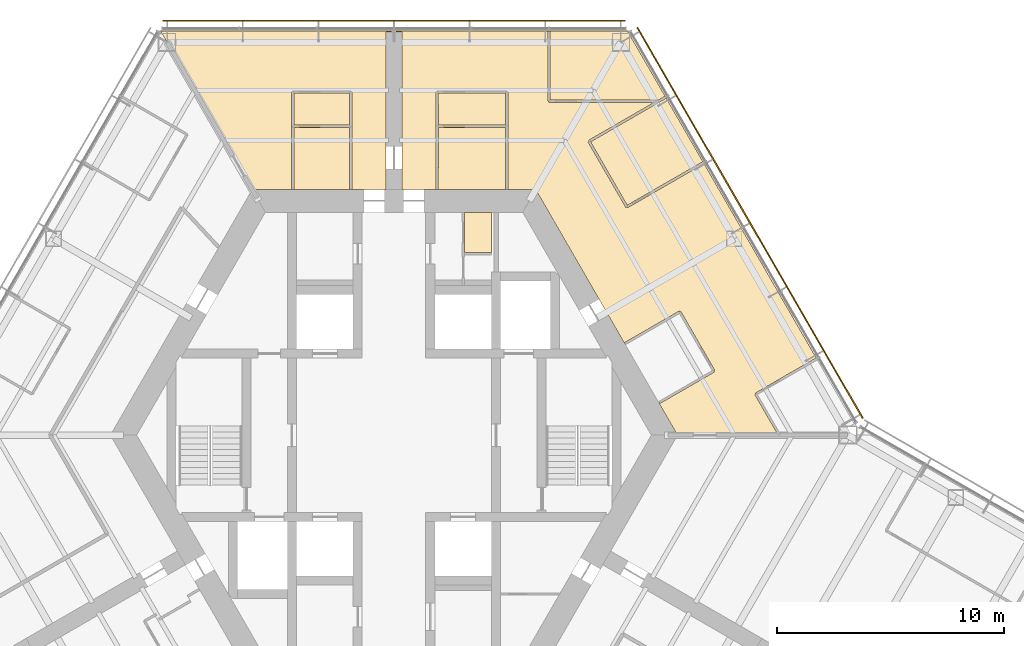
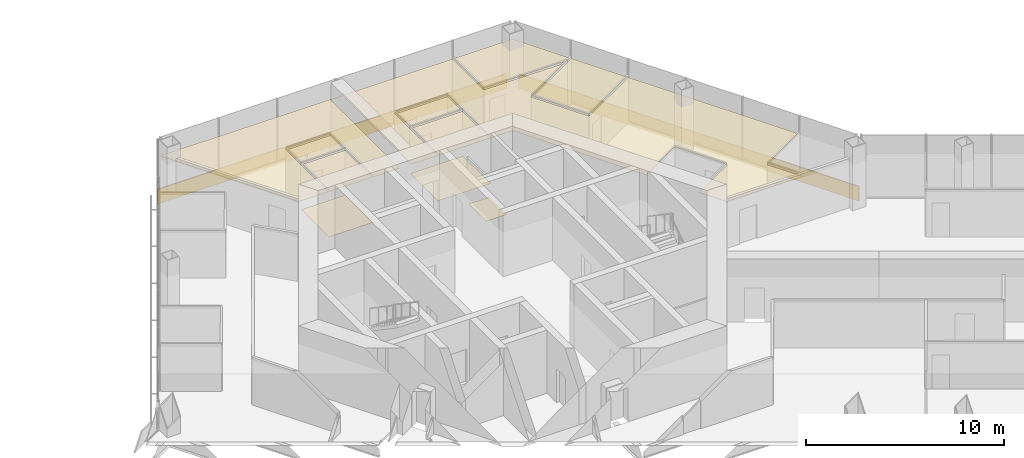
# One storey, part 18 of 18: 11 coverings, 2 shading devices.
"""IFC4 building model written with IfcOpenShell, lengths in metres."""

from ifc_helpers import new_model, si_unit, direction, frame, origin, origin_2d, place, context, subcontext, project, spatial, polyline, rectangle, outline, extrude, material, layer, layer_set, type_object, element, save


model = new_model("IFC4")

# Units and contexts
model_context = context("Model", 3, precision=1e-05, world=origin(), true_north=direction((0.0, 1.0)))
body_context = subcontext(model_context, "Body", "Model", "MODEL_VIEW")
ifc_project = project(units=[si_unit("LENGTHUNIT", "METRE"), si_unit("AREAUNIT", "SQUARE_METRE"), si_unit("VOLUMEUNIT", "CUBIC_METRE"), si_unit("PLANEANGLEUNIT", "RADIAN"), si_unit("MASSUNIT", "GRAM", prefix="KILO")], contexts=[model_context])

# Site, building, storey
site_placement = place(None, origin())
site = spatial("IfcSite", under=ifc_project, at=site_placement, CompositionType="ELEMENT")
building_placement = place(site_placement, origin())
building = spatial("IfcBuilding", under=site, at=building_placement, Name="Kasaneha Research Tower", CompositionType="ELEMENT")
storey_placement = place(building_placement, frame((0.0, 0.0, 152.60009765625)))
storey = spatial("IfcBuildingStorey", under=building, at=storey_placement, Name="L38", CompositionType="ELEMENT", Elevation=152.60009765625)

# Coverings
ifc_material_1 = material(Name="Gypsum ceiling board", Category="gypsum")
ifc_layer_1 = layer(ifc_material_1, 0.02001953125)
ifc_layer_set_1 = layer_set([ifc_layer_1], Name="Suspended ceiling 20")
covering_type_1 = type_object("IfcCoveringType", Name="Suspended ceiling 20", PredefinedType="CEILING", material=ifc_layer_set_1)
covering_1_placement = place(storey_placement, frame((0.0, 0.0, 2.7998046875)))
element("IfcCovering", 1, at=covering_1_placement, inside=storey, type_object=covering_type_1, Name="Ceiling L38-25", PredefinedType="CEILING", context=body_context, shape_type="SweptSolid", body=[
    extrude(outline(polyline([(1.89990234375, 10.824951171875), (1.89990234375, 10.844970703125), (1.949951171875, 10.844970703125), (1.95458984375, 13.570068359375), (4.91650390625, 13.570068359375), (4.9208984375, 10.844970703125), (4.970947265625, 10.844970703125), (4.970947265625, 10.824951171875), (1.89990234375, 10.824951171875)])), origin(), (0.0, 0.0, 1.0), 0.02001953125),
])
covering_2_placement = place(storey_placement, frame((0.0, 0.0, 2.7998046875)))
element("IfcCovering", 2, at=covering_2_placement, inside=storey, type_object=covering_type_1, Name="Ceiling L38-26", PredefinedType="CEILING", context=body_context, shape_type="SweptSolid", body=[
    extrude(outline(polyline([(4.91650390625, 13.669921875), (1.954345703125, 13.669921875), (1.9501953125, 15.074951171875), (4.9208984375, 15.074951171875), (4.91650390625, 13.669921875)])), origin(), (0.0, 0.0, 1.0), 0.02001953125),
])
covering_3_placement = place(storey_placement, frame((0.0, 0.0, 2.7998046875)))
element("IfcCovering", 3, at=covering_3_placement, inside=storey, type_object=covering_type_1, Name="Ceiling L38-28", PredefinedType="CEILING", context=body_context, shape_type="SweptSolid", body=[
    extrude(outline(polyline([(13.640869140625, 12.0146484375), (13.623291015625, 12.004638671875), (13.598388671875, 12.0478515625), (10.281494140625, 10.1328125), (8.666015625, 12.930908203125), (11.685546875, 14.67431640625), (12.000244140625, 14.85595703125), (13.640869140625, 12.0146484375)])), origin(), (0.0, 0.0, 1.0), 0.02001953125),
])
covering_4_placement = place(storey_placement, frame((0.0, 0.0, 2.7998046875)))
element("IfcCovering", 4, at=covering_4_placement, inside=storey, type_object=covering_type_1, Name="Ceiling L38-30", PredefinedType="CEILING", context=body_context, shape_type="SweptSolid", body=[
    extrude(outline(polyline([(11.950439453125, 14.942626953125), (11.654296875, 14.771484375), (6.880859375, 14.7705078125), (6.880859375, 17.800537109375), (6.8310546875, 17.800537109375), (6.8310546875, 17.820556640625), (10.2890625, 17.821044921875), (11.950439453125, 14.942626953125)])), origin(), (0.0, 0.0, 1.0), 0.02001953125),
])
covering_5_placement = place(storey_placement, frame((0.0, 0.0, 2.7998046875)))
element("IfcCovering", 5, at=covering_5_placement, inside=storey, type_object=covering_type_1, Name="Ceiling L38-31", PredefinedType="CEILING", context=body_context, shape_type="SweptSolid", body=[
    extrude(outline(polyline([(14.10009765625, 2.8291015625), (14.142822265625, 2.853759765625), (12.642822265625, 5.451904296875), (12.599853515625, 5.427001953125), (12.599609375, 5.42724609375), (12.599365234375, 5.42724609375), (12.57470703125, 5.47021484375), (10.1669921875, 4.080078125), (10.19189453125, 4.037353515625), (10.174560546875, 4.02734375), (6.249755859375, 10.824951171875), (4.971435546875, 10.824951171875), (4.971435546875, 10.844970703125), (5.02099609375, 10.844970703125), (5.016357421875, 13.625), (5.02099609375, 15.124755859375), (4.971435546875, 15.125), (4.971435546875, 15.12548828125), (4.970947265625, 15.12548828125), (4.970947265625, 15.175048828125), (1.89990234375, 15.175048828125), (1.89990234375, 15.125244140625), (1.899658203125, 15.125244140625), (1.899658203125, 15.125), (1.85009765625, 15.124755859375), (1.8544921875, 13.625), (1.85009765625, 10.844970703125), (1.8994140625, 10.844970703125), (1.8994140625, 10.824951171875), (0.35009765625, 10.824951171875), (0.35009765625, 11.72509765625), (0.35009765625, 12.72509765625), (0.35009765625, 17.7705078125), (0.35009765625, 17.7705078125), (0.0, 17.7705078125), (0.0, 17.820556640625), (6.830322265625, 17.820556640625), (6.830322265625, 17.800537109375), (6.781005859375, 17.800537109375), (6.781005859375, 14.720458984375), (6.83056640625, 14.720458984375), (6.83056640625, 14.719970703125), (6.830810546875, 14.719970703125), (6.830810546875, 14.67041015625), (11.48095703125, 14.671630859375), (8.57275390625, 12.992431640625), (8.59765625, 12.949462890625), (8.597412109375, 12.949462890625), (8.597412109375, 12.948974609375), (8.554443359375, 12.92431640625), (10.219970703125, 10.03955078125), (10.262939453125, 10.064453125), (10.26318359375, 10.06396484375), (10.263427734375, 10.064208984375), (10.2880859375, 10.021240234375), (13.6484375, 11.961181640625), (13.62353515625, 12.004150390625), (13.64111328125, 12.01416015625), (18.636962890625, 3.36083984375), (18.61962890625, 3.350830078125), (18.5947265625, 3.393798828125), (15.927490234375, 1.853759765625), (15.952392578125, 1.810791015625), (15.9521484375, 1.810791015625), (15.9521484375, 1.810302734375), (15.9091796875, 1.785400390625), (16.93994140625, 0.0), (12.49951171875, 0.0), (11.675048828125, 1.428466796875), (11.6923828125, 1.438232421875), (11.717041015625, 1.3955078125), (14.12451171875, 2.785400390625), (14.099609375, 2.828857421875), (14.10009765625, 2.8291015625), (14.10009765625, 2.8291015625)])), origin(), (0.0, 0.0, 1.0), 0.02001953125),
])
covering_6_placement = place(storey_placement, frame((0.0, 0.0, 2.7998046875)))
element("IfcCovering", 6, at=covering_6_placement, inside=storey, type_object=covering_type_1, Name="Ceiling L38-32", PredefinedType="CEILING", context=body_context, shape_type="SweptSolid", body=[
    extrude(outline(polyline([(-4.465087890625, 10.824951171875), (-4.465087890625, 10.844970703125), (-4.4150390625, 10.844970703125), (-4.410400390625, 13.570068359375), (-1.95458984375, 13.570068359375), (-1.949951171875, 10.844970703125), (-1.89990234375, 10.844970703125), (-1.89990234375, 10.824951171875), (-4.465087890625, 10.824951171875)])), origin(), (0.0, 0.0, 1.0), 0.02001953125),
])
covering_7_placement = place(storey_placement, frame((0.0, 0.0, 2.7998046875)))
element("IfcCovering", 7, at=covering_7_placement, inside=storey, type_object=covering_type_1, Name="Ceiling L38-33", PredefinedType="CEILING", context=body_context, shape_type="SweptSolid", body=[
    extrude(outline(polyline([(-1.9501953125, 15.074951171875), (-1.95458984375, 13.669921875), (-4.41064453125, 13.669921875), (-4.414794921875, 15.074951171875), (-1.9501953125, 15.074951171875)])), origin(), (0.0, 0.0, 1.0), 0.02001953125),
])
covering_8_placement = place(storey_placement, frame((0.0, 0.0, 2.7998046875)))
element("IfcCovering", 8, at=covering_8_placement, inside=storey, type_object=covering_type_1, Name="Ceiling L38-34", PredefinedType="CEILING", context=body_context, shape_type="SweptSolid", body=[
    extrude(outline(polyline([(-0.35009765625, 11.72509765625), (-0.35009765625, 10.824951171875), (-1.8994140625, 10.824951171875), (-1.8994140625, 10.844970703125), (-1.85009765625, 10.844970703125), (-1.854736328125, 13.625), (-1.85009765625, 15.124755859375), (-1.89990234375, 15.125), (-1.89990234375, 15.12548828125), (-1.89990234375, 15.175048828125), (-4.465087890625, 15.175048828125), (-4.465087890625, 15.125244140625), (-4.46533203125, 15.125244140625), (-4.46533203125, 15.125), (-4.514892578125, 15.124755859375), (-4.510498046875, 13.625), (-4.514892578125, 10.844970703125), (-4.465576171875, 10.844970703125), (-4.465576171875, 10.824951171875), (-6.249755859375, 10.824951171875), (-10.28857421875, 17.820556640625), (0.0, 17.820556640625), (0.0, 17.7705078125), (-0.35009765625, 17.7705078125), (-0.35009765625, 17.7705078125), (-0.35009765625, 12.72509765625), (-0.35009765625, 11.72509765625)])), origin(), (0.0, 0.0, 1.0), 0.02001953125),
])

# Shading devices
ifc_material_2 = material(Name="Terracotta", Category="masonry")
ifc_layer_2 = layer(ifc_material_2, 0.06005859375)
ifc_layer_set_2 = layer_set([ifc_layer_2], Name="Terracotta baguette screen")
shading_device_type = type_object("IfcShadingDeviceType", Name="Terracotta baguette screen", PredefinedType="USERDEFINED", material=ifc_layer_set_2)
shading_device_1_placement = place(storey_placement, frame((15.696044921875, 9.35498046875, -0.449951171875), z_axis=(0.0, 0.0, 1.0), x_axis=(-0.499999979232, 0.866025415775, 0.0)))
element("IfcShadingDevice", 9, at=shading_device_1_placement, inside=storey, type_object=shading_device_type, Name="Baguette screen L38 06", ObjectType="TERRACOTTA BAGUETTE SCREEN", PredefinedType="USERDEFINED", context=body_context, shape_type="SweptSolid", body=[
    extrude(rectangle(XDim=19.8857421875, YDim=0.06005859375, at=origin_2d()), origin(), (0.0, 0.0, 1.0), 0.89990234375),
])
shading_device_2_placement = place(storey_placement, frame((0.0, 18.2705078125, -0.449951171875), z_axis=(0.0, 0.0, 1.0), x_axis=(-1.0, 0.0, 0.0)))
element("IfcShadingDevice", 10, at=shading_device_2_placement, inside=storey, type_object=shading_device_type, Name="Baguette screen L38 07", ObjectType="TERRACOTTA BAGUETTE SCREEN", PredefinedType="USERDEFINED", context=body_context, shape_type="SweptSolid", body=[
    extrude(rectangle(XDim=20.392822265625, YDim=0.06005859375, at=origin_2d()), origin(), (0.0, 0.0, 1.0), 0.89990234375),
])

# Coverings
ifc_material_3 = material(Name="Vinyl sheet flooring", Category="plastic")
ifc_layer_3 = layer(ifc_material_3, 0.0048828125)
ifc_layer_set_3 = layer_set([ifc_layer_3], Name="Wet room sheet flooring 5")
covering_type_2 = type_object("IfcCoveringType", Name="Wet room sheet flooring 5", PredefinedType="FLOORING", material=ifc_layer_set_3)
covering_9_placement = place(storey_placement, origin())
element("IfcCovering", 11, at=covering_9_placement, inside=storey, type_object=covering_type_2, Name="Floor finish L38-08", PredefinedType="FLOORING", context=body_context, shape_type="SweptSolid", body=[
    extrude(outline(polyline([(4.300048828125, 8.050048828125), (3.10009765625, 8.050048828125), (3.10009765625, 9.824951171875), (4.300048828125, 9.824951171875), (4.300048828125, 8.050048828125)])), origin(), (0.0, 0.0, 1.0), 0.0048828125),
])
covering_10_placement = place(storey_placement, origin())
element("IfcCovering", 12, at=covering_10_placement, inside=storey, type_object=covering_type_2, Name="Floor finish L38-25", PredefinedType="FLOORING", context=body_context, shape_type="SweptSolid", body=[
    extrude(outline(polyline([(4.970947265625, 13.625), (4.970947265625, 10.824951171875), (1.89990234375, 10.824951171875), (1.89990234375, 13.625), (4.970947265625, 13.625)])), origin(), (0.0, 0.0, 1.0), 0.0048828125),
])
covering_11_placement = place(storey_placement, origin())
element("IfcCovering", 13, at=covering_11_placement, inside=storey, type_object=covering_type_2, Name="Floor finish L38-32", PredefinedType="FLOORING", context=body_context, shape_type="SweptSolid", body=[
    extrude(outline(polyline([(-1.89990234375, 13.625), (-1.89990234375, 10.824951171875), (-4.465087890625, 10.824951171875), (-4.465087890625, 13.625), (-1.89990234375, 13.625)])), origin(), (0.0, 0.0, 1.0), 0.0048828125),
])

save(model, "model.ifc")
